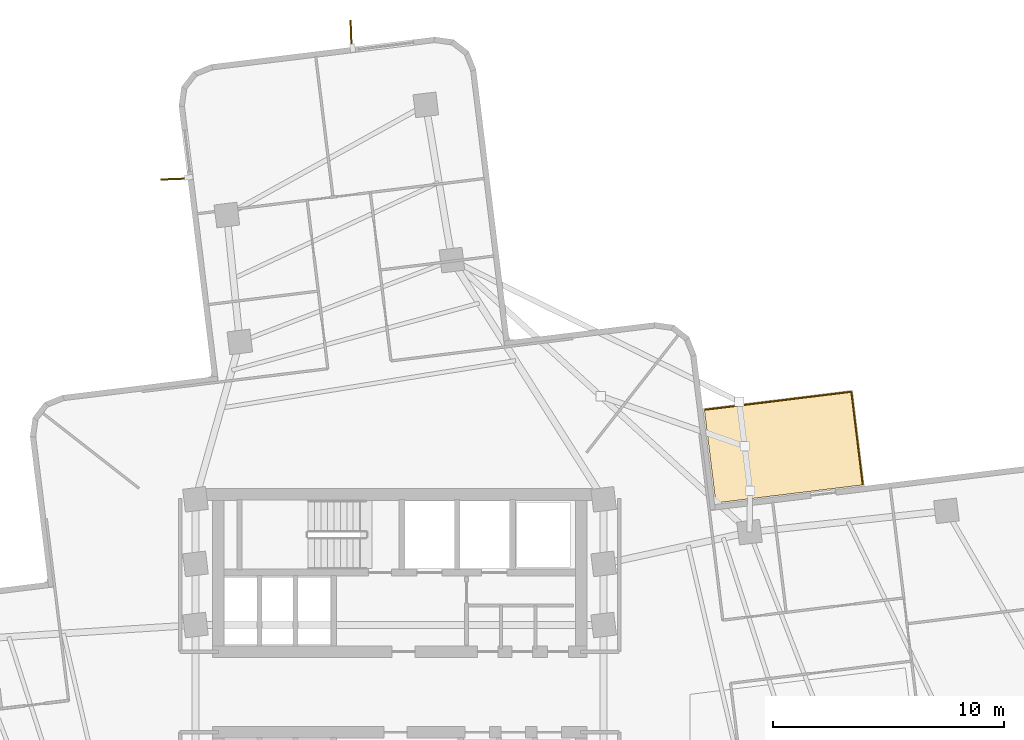
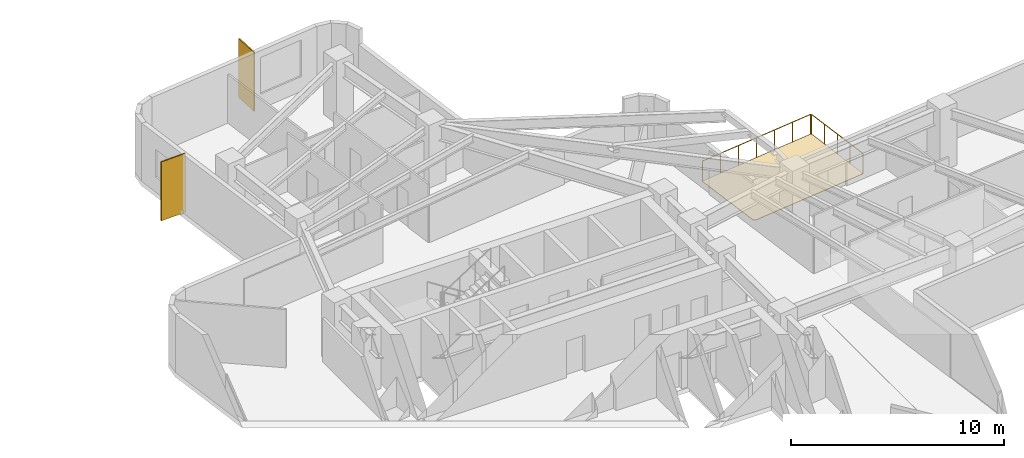
# One storey, part 9 of 9: 2 railings, 2 shading devices, 1 covering.
"""IFC4 building model written with IfcOpenShell, lengths in metres."""

import ifcopenshell
import ifcopenshell.guid

model = None  # the IFC model being written
_history = None  # IfcOwnerHistory: only IFC2X3 demands one
_inside = {}  # id of a spatial element -> (the spatial element, [elements in it])
_under = {}  # id of a project, library or spatial element -> (it, [spatial elements below it])
_declared = {}  # id of a project -> (the project, [libraries it declares])
_typed = {}  # id of a type object -> (the type object, [elements of that type])
_made_of = {}  # id of a material, layer set ... -> (it, [elements and type objects made of it])


def new_model(schema):
    """Start an empty IFC model of exactly this schema.

    Asked for "IFC4X3", IfcOpenShell would pick the latest addendum, in which some entities
    have other attributes; the version numbers below select the first issue.
    IFC2X3 requires an IfcOwnerHistory on every rooted entity: one is made here for all.
    """
    global model, _history
    if schema == "IFC4X3":
        model = ifcopenshell.file(schema_version=(4, 3, 0, 0))
    else:
        model = ifcopenshell.file(schema=schema)
    _inside.clear()
    _under.clear()
    _declared.clear()
    _typed.clear()
    _made_of.clear()
    _history = None
    if model.schema == "IFC2X3":
        org = make("IfcOrganization", Name="unknown")
        user = make(
            "IfcPersonAndOrganization",
            ThePerson=make("IfcPerson", FamilyName="unknown"),
            TheOrganization=org,
        )
        app = make(
            "IfcApplication",
            ApplicationDeveloper=org,
            Version="unknown",
            ApplicationFullName="unknown",
            ApplicationIdentifier="unknown",
        )
        _history = make(
            "IfcOwnerHistory",
            OwningUser=user,
            OwningApplication=app,
            ChangeAction="ADDED",
            CreationDate=0,
        )
    return model


def make(cls, **values):
    """One entity of the class cls with the attributes given. An attribute that is None is left unset."""
    return model.create_entity(
        cls, **{name: value for name, value in values.items() if value is not None}
    )


def rooted(cls, **values):
    """An entity with a GlobalId (a new one), such as an element, a storey or a relation."""
    return make(cls, GlobalId=ifcopenshell.guid.new(), OwnerHistory=_history, **values)


def si_unit(unit_type, name, prefix=None):
    """IfcSIUnit, for example si_unit("LENGTHUNIT", "METRE", prefix="MILLI")."""
    return make("IfcSIUnit", UnitType=unit_type, Prefix=prefix, Name=name)


def assignment(units):
    """IfcUnitAssignment: the units of a project."""
    return None if units is None else make("IfcUnitAssignment", Units=units)


def point(xyz):
    """IfcCartesianPoint."""
    return None if xyz is None else make("IfcCartesianPoint", Coordinates=xyz)


def direction(xyz):
    """IfcDirection."""
    return None if xyz is None else make("IfcDirection", DirectionRatios=xyz)


def frame(location, z_axis=None, x_axis=None):
    """IfcAxis2Placement3D, a coordinate frame: its origin and axes. An axis left out is left unset."""
    return make(
        "IfcAxis2Placement3D",
        Location=point(location),
        Axis=direction(z_axis),
        RefDirection=direction(x_axis),
    )


def frame_2d(location, x_axis=None):
    """IfcAxis2Placement2D, a coordinate frame in the plane: its origin and x axis."""
    return make(
        "IfcAxis2Placement2D", Location=point(location), RefDirection=direction(x_axis)
    )


def origin():
    """The frame at (0, 0, 0) with its axes left unset."""
    return frame((0.0, 0.0, 0.0))


def origin_2d():
    """The frame at (0, 0) in the plane with its x axis left unset."""
    return frame_2d((0.0, 0.0))


def place(relative_to, where):
    """IfcLocalPlacement: puts the frame where relative to a parent placement (None: the world)."""
    return make(
        "IfcLocalPlacement", PlacementRelTo=relative_to, RelativePlacement=where
    )


def context(
    kind, dimensions, precision=None, world=None, true_north=None, identifier=None
):
    """IfcGeometricRepresentationContext, for example the 3D "Model" context."""
    return make(
        "IfcGeometricRepresentationContext",
        ContextIdentifier=identifier,
        ContextType=kind,
        CoordinateSpaceDimension=dimensions,
        Precision=precision,
        WorldCoordinateSystem=world,
        TrueNorth=true_north,
    )


def subcontext(parent, identifier, kind, view, scale=None):
    """IfcGeometricRepresentationSubContext, for example "Body" below "Model"."""
    return make(
        "IfcGeometricRepresentationSubContext",
        ContextIdentifier=identifier,
        ContextType=kind,
        ParentContext=parent,
        TargetScale=scale,
        TargetView=view,
    )


def project(units=None, contexts=None):
    """IfcProject with its units and contexts."""
    return rooted(
        "IfcProject",
        Name="project",
        RepresentationContexts=contexts,
        UnitsInContext=assignment(units),
    )


def spatial(cls, under=None, at=None, **own):
    """A site, building, storey or space (cls), placed at a placement, below another one or the project."""
    s = rooted(cls, ObjectPlacement=at, **own)
    if under is not None:
        _under.setdefault(under.id(), (under, []))[1].append(s)
    return s


def polyline(points):
    """IfcPolyline through the points."""
    return make("IfcPolyline", Points=[point(p) for p in points])


def profile(cls, at=None, kind="AREA", **sizes):
    """A parametric profile (cls). Its sizes go by their IFC names, for example OverallWidth=200.0."""
    return make(cls, ProfileType=kind, Position=at, **sizes)


def rectangle(**sizes):
    """IfcRectangleProfileDef."""
    return profile("IfcRectangleProfileDef", **sizes)


def circle(**sizes):
    """IfcCircleProfileDef."""
    return profile("IfcCircleProfileDef", **sizes)


def outline(outer, holes=None, kind="AREA"):
    """IfcArbitraryClosedProfileDef: a profile drawn as a closed curve; with holes, ...WithVoids."""
    if holes is None:
        return make("IfcArbitraryClosedProfileDef", ProfileType=kind, OuterCurve=outer)
    return make(
        "IfcArbitraryProfileDefWithVoids",
        ProfileType=kind,
        OuterCurve=outer,
        InnerCurves=holes,
    )


def extrude(swept, where, along, depth):
    """IfcExtrudedAreaSolid: the profile swept, set in the frame where, extruded along a direction by depth."""
    return make(
        "IfcExtrudedAreaSolid",
        SweptArea=swept,
        Position=where,
        ExtrudedDirection=direction(along),
        Depth=depth,
    )


def shape(context_of_items, identifier, shape_type, items):
    """IfcShapeRepresentation: the items that make up one representation, for example the "Body"."""
    return make(
        "IfcShapeRepresentation",
        ContextOfItems=context_of_items,
        RepresentationIdentifier=identifier,
        RepresentationType=shape_type,
        Items=items,
    )


def material(Name=None, Category=None):
    """IfcMaterial."""
    return make("IfcMaterial", Name=Name, Category=Category)


def layer(
    of_material, thickness, ventilated=None, Name=None, Category=None, Priority=None
):
    """IfcMaterialLayer: one layer of a wall or slab, of a material (None: an air gap)."""
    return make(
        "IfcMaterialLayer",
        Material=of_material,
        LayerThickness=thickness,
        IsVentilated=ventilated,
        Name=Name,
        Category=Category,
        Priority=Priority,
    )


def layer_set(layers, Name=None):
    """IfcMaterialLayerSet."""
    return make("IfcMaterialLayerSet", MaterialLayers=layers, LayerSetName=Name)


def made_of(thing, what):
    """Note that an element or type object is made of a material, layer set ...; save() writes the relation."""
    if what is not None:
        _made_of.setdefault(what.id(), (what, []))[1].append(thing)
    return thing


def type_object(cls, material=None, **own):
    """A type object (cls), such as IfcWallType, which elements share."""
    return made_of(rooted(cls, **own), material)


def element(
    cls,
    number,
    at=None,
    inside=None,
    cuts=None,
    type_object=None,
    material=None,
    context=None,
    identifier="Body",
    shape_type=None,
    held_by="IfcProductDefinitionShape",
    body=None,
    shapes=None,
    **own,
):
    """One element of the class cls, such as IfcWall. Its Tag is "e" and its number.

    at: its placement. inside: the storey or other place that contains it. cuts: it is an
    opening in that element (IfcRelVoidsElement). A single representation is given by context,
    identifier, shape_type and body (its items); several are given by shapes. held_by: the class
    of the entity that holds the representations. save() writes the other relations.
    """
    e = rooted(cls, Tag="e%d" % number, ObjectPlacement=at, **own)
    if body is not None:
        shapes = [shape(context, identifier, shape_type, body)]
    if shapes is not None:
        e.Representation = make(held_by, Representations=shapes)
    if inside is not None:
        _inside.setdefault(inside.id(), (inside, []))[1].append(e)
    if cuts is not None:
        rooted(
            "IfcRelVoidsElement", RelatingBuildingElement=cuts, RelatedOpeningElement=e
        )
    if type_object is not None:
        _typed.setdefault(type_object.id(), (type_object, []))[1].append(e)
    return made_of(e, material)


def aggregate(whole, parts):
    """IfcRelAggregates: a whole, such as a stair, and the parts it consists of."""
    return rooted("IfcRelAggregates", RelatingObject=whole, RelatedObjects=parts)


def save(model, path):
    """Write the relations noted so far, then the file.

    IfcRelAggregates (storeys below a building ...), IfcRelContainedInSpatialStructure (elements
    in a storey), IfcRelDefinesByType, IfcRelAssociatesMaterial and IfcRelDeclares: one each for
    every whole, place, type object, material and project.
    """
    for whole, parts in _under.values():
        aggregate(whole, parts)
    for where, things in _inside.values():
        rooted(
            "IfcRelContainedInSpatialStructure",
            RelatedElements=things,
            RelatingStructure=where,
        )
    for kind, things in _typed.values():
        rooted("IfcRelDefinesByType", RelatedObjects=things, RelatingType=kind)
    for what, things in _made_of.values():
        rooted("IfcRelAssociatesMaterial", RelatedObjects=things, RelatingMaterial=what)
    for by, libraries in _declared.values():
        rooted("IfcRelDeclares", RelatingContext=by, RelatedDefinitions=libraries)
    model.write(path)


model = new_model("IFC4")

# Units and contexts
model_context = context("Model", 3, precision=1e-05, world=origin(), true_north=direction((0.0, 1.0)))
body_context = subcontext(model_context, "Body", "Model", "MODEL_VIEW")
ifc_project = project(units=[si_unit("LENGTHUNIT", "METRE"), si_unit("AREAUNIT", "SQUARE_METRE"), si_unit("VOLUMEUNIT", "CUBIC_METRE"), si_unit("PLANEANGLEUNIT", "RADIAN"), si_unit("MASSUNIT", "GRAM", prefix="KILO")], contexts=[model_context])

# Site, building, storey
site_placement = place(None, origin())
site = spatial("IfcSite", under=ifc_project, at=site_placement, CompositionType="ELEMENT")
building_placement = place(site_placement, origin())
building = spatial("IfcBuilding", under=site, at=building_placement, Name="Solmarez Civic Tower", CompositionType="ELEMENT")
storey_placement = place(building_placement, frame((0.0, 0.0, 78.47998046875)))
storey = spatial("IfcBuildingStorey", under=building, at=storey_placement, Name="L20", CompositionType="ELEMENT", Elevation=78.47998046875)

# Covering
ifc_material_1 = material(Name="Elastomeric Terrace Waterproofing Membrane")
ifc_layer_1 = layer(ifc_material_1, 0.030029296875)
ifc_layer_set_1 = layer_set([ifc_layer_1], Name="Elastomeric Terrace Waterproofing Membrane")
covering_type = type_object("IfcCoveringType", Name="COV-MEMBRANE-ROOF", PredefinedType="ROOFING", material=ifc_layer_set_1)
covering_placement = place(storey_placement, origin())
element("IfcCovering", 1, at=covering_placement, inside=storey, type_object=covering_type, Name="L20 Balcony Waterproofing NE", PredefinedType="ROOFING", context=body_context, shape_type="SweptSolid", body=[
    extrude(outline(polyline([(13.697021484375, 8.35009765625), (13.7451171875, 8.23193359375), (13.8720703125, 8.214111328125), (20.095947265625, 8.97802734375), (19.59912109375, 13.02490234375), (13.218994140625, 12.241943359375), (13.697021484375, 8.35009765625)])), origin(), (0.0, 0.0, 1.0), 0.030029296875),
])

# Shading devices
ifc_material_2 = material(Name="Bronze Anodised Aluminium EN AW-6063 T6", Category="aluminium")
ifc_layer_2 = layer(ifc_material_2, 0.06494140625)
ifc_layer_set_2 = layer_set([ifc_layer_2], Name="Bronze Anodised Aluminium EN AW-6063 T6")
shading_device_type = type_object("IfcShadingDeviceType", Name="FIN-BRONZE-Z12", PredefinedType="USERDEFINED", material=ifc_layer_set_2)
for number, where, z_axis, x_axis, name in (
    (2, (-9.68798828125, 22.243896484375, -0.0400390625), (0.0, 0.0, 1.0), (-0.999309718726, -0.037149509544, 0.0), "L20 Anodised Bronze Solar Fin FIN-L20-03"),
    (3, (-2.10107421875, 28.4609375, -0.0400390625), (0.0, 0.0, 1.0), (-0.037132068293, 0.999310366955, 0.0), "L20 Anodised Bronze Solar Fin FIN-L20-04"),
):
    element("IfcShadingDevice", number, at=place(storey_placement, frame(where, z_axis=z_axis, x_axis=x_axis)), inside=storey, type_object=shading_device_type, Name=name, ObjectType="FIN", PredefinedType="USERDEFINED", context=body_context, shape_type="SweptSolid", body=[
        extrude(rectangle(XDim=1.35009765625, YDim=0.06494140625, at=origin_2d()), origin(), (0.0, 0.0, 1.0), 3.3798828125),
    ])

# Railings
ifc_material_3 = material(Name="Bronze Anodised Aluminium and Laminated Safety Glass Balustrade", Category="aluminium")
railing_type = type_object("IfcRailingType", Name="GUARD-TERR-1180", PredefinedType="BALUSTRADE", material=ifc_material_3)
railing_1_placement = place(storey_placement, frame((20.092041015625, 9.012939453125, 0.0)))
element("IfcRailing", 4, at=railing_1_placement, inside=storey, type_object=railing_type, Name="L20 Safety Balustrade GRD-BALC-L20-NE-1", PredefinedType="BALUSTRADE", context=body_context, shape_type="SweptSolid", body=[
    extrude(circle(Radius=0.02392578125, at=origin_2d()), frame((0.0, 0.0, 1.15576171875), z_axis=(-0.122039778732, 0.99252520996, 0.0), x_axis=(-0.99252520996, -0.122039778732, 0.0)), (0.0, 0.0, 1.0), 4.007080078125),
    extrude(circle(Radius=0.02099609375, at=origin_2d()), origin(), (0.0, 0.0, 1.0), 1.1318359375),
    extrude(circle(Radius=0.02099609375, at=origin_2d()), frame((-0.122314453125, 0.994140625, 0.0)), (0.0, 0.0, 1.0), 1.1318359375),
    extrude(circle(Radius=0.02099609375, at=origin_2d()), frame((-0.24462890625, 1.988525390625, 0.0)), (0.0, 0.0, 1.0), 1.1318359375),
    extrude(circle(Radius=0.02099609375, at=origin_2d()), frame((-0.36669921875, 2.98291015625, 0.0)), (0.0, 0.0, 1.0), 1.1318359375),
    extrude(circle(Radius=0.02099609375, at=origin_2d()), frame((-0.489013671875, 3.97705078125, 0.0)), (0.0, 0.0, 1.0), 1.1318359375),
])
railing_2_placement = place(storey_placement, frame((19.56396484375, 13.02099609375, 0.0)))
element("IfcRailing", 5, at=railing_2_placement, inside=storey, type_object=railing_type, Name="L20 Safety Balustrade GRD-BALC-L20-NE-2", PredefinedType="BALUSTRADE", context=body_context, shape_type="SweptSolid", body=[
    extrude(circle(Radius=0.02392578125, at=origin_2d()), frame((0.0, 0.0, 1.15576171875), z_axis=(-0.992543781308, -0.121888646671, 0.0), x_axis=(0.121888646671, -0.992543781308, 0.0)), (0.0, 0.0, 1.0), 6.357421875),
    extrude(circle(Radius=0.02099609375, at=origin_2d()), origin(), (0.0, 0.0, 1.0), 1.1318359375),
    extrude(circle(Radius=0.02099609375, at=origin_2d()), frame((-1.0517578125, -0.129150390625, 0.0)), (0.0, 0.0, 1.0), 1.1318359375),
    extrude(circle(Radius=0.02099609375, at=origin_2d()), frame((-2.103271484375, -0.25830078125, 0.0)), (0.0, 0.0, 1.0), 1.1318359375),
    extrude(circle(Radius=0.02099609375, at=origin_2d()), frame((-3.155029296875, -0.387451171875, 0.0)), (0.0, 0.0, 1.0), 1.1318359375),
    extrude(circle(Radius=0.02099609375, at=origin_2d()), frame((-4.206787109375, -0.5166015625, 0.0)), (0.0, 0.0, 1.0), 1.1318359375),
    extrude(circle(Radius=0.02099609375, at=origin_2d()), frame((-5.25830078125, -0.645751953125, 0.0)), (0.0, 0.0, 1.0), 1.1318359375),
    extrude(circle(Radius=0.02099609375, at=origin_2d()), frame((-6.31005859375, -0.77490234375, 0.0)), (0.0, 0.0, 1.0), 1.1318359375),
])

save(model, "model.ifc")
